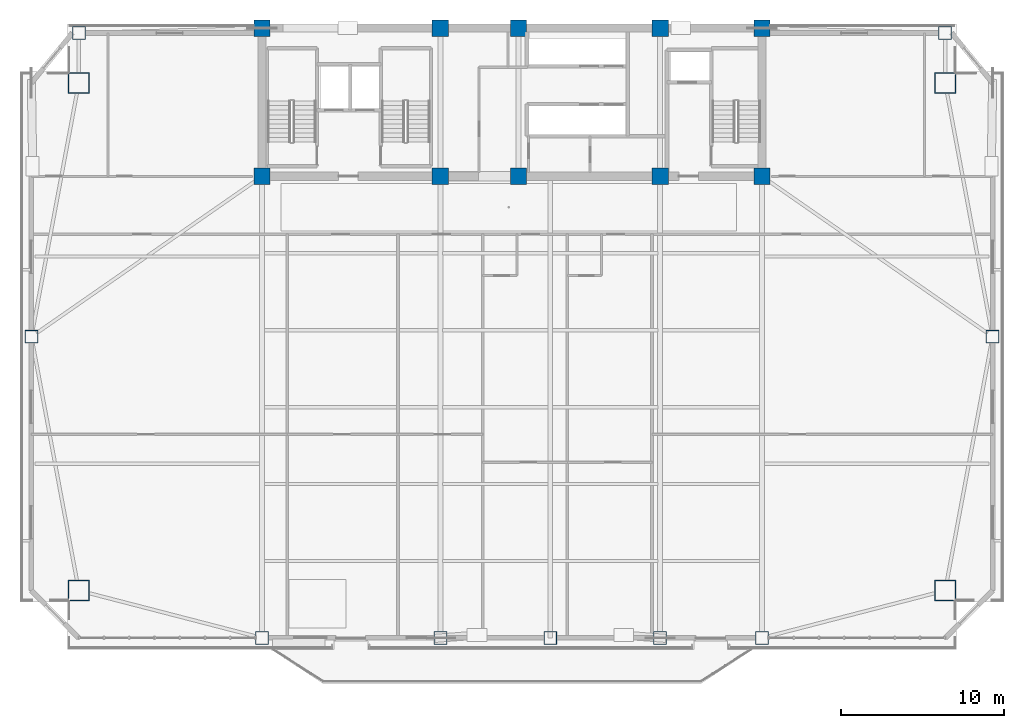
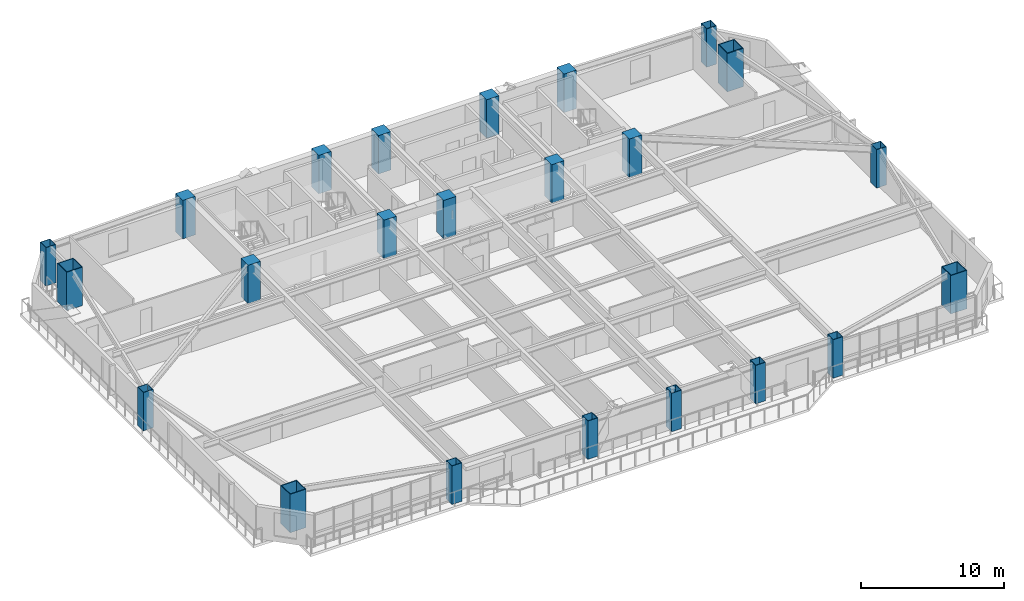
# One storey, part 1 of 16: 23 columns.
"""IFC4 building model written with IfcOpenShell, lengths in metres."""

from ifc_helpers import new_model, si_unit, direction, frame, origin, origin_2d, place, context, subcontext, project, spatial, rectangle, hollow_rectangle, extrude, source, transform, mapped, material, material_profile, profile_set, type_object, element, save


model = new_model("IFC4")

# Units and contexts
model_context = context("Model", 3, precision=1e-05, world=origin(), true_north=direction((0.0, 1.0)))
body_context = subcontext(model_context, "Body", "Model", "MODEL_VIEW")
ifc_project = project(units=[si_unit("LENGTHUNIT", "METRE"), si_unit("AREAUNIT", "SQUARE_METRE"), si_unit("VOLUMEUNIT", "CUBIC_METRE"), si_unit("PLANEANGLEUNIT", "RADIAN"), si_unit("MASSUNIT", "GRAM", prefix="KILO")], contexts=[model_context])

# Site, building, storey
site_placement = place(None, origin())
site = spatial("IfcSite", under=ifc_project, at=site_placement, CompositionType="ELEMENT")
building_placement = place(site_placement, origin())
building = spatial("IfcBuilding", under=site, at=building_placement, Name="Giltprow Tower", CompositionType="ELEMENT")
storey_placement = place(building_placement, frame((0.0, 0.0, 159.699951171875)))
storey = spatial("IfcBuildingStorey", under=building, at=storey_placement, Name="L39", CompositionType="ELEMENT", Elevation=159.699951171875)

# Columns
ifc_material_1 = material(Name="Structural steel Q420GJC", Category="steel")
ifc_material_profile_1 = material_profile(ifc_material_1, hollow_rectangle(XDim=1.300048828125, YDim=1.300048828125, WallThickness=0.06005859375, at=origin_2d()), Name="BOX 1300x1300x60")
ifc_profile_set_1 = profile_set([ifc_material_profile_1], Name="Structural steel Q420GJC")
column_type_1 = type_object("IfcColumnType", Name="COL-BOX-1300x1300x60", PredefinedType="COLUMN", material=ifc_profile_set_1)
shared_shape_1 = source(origin(), body_context, "Body", "SweptSolid", [
    extrude(hollow_rectangle(XDim=1.300048828125, YDim=1.300048828125, WallThickness=0.06005859375, at=origin_2d()), origin(), (0.0, 0.0, 1.0), 3.27001953125),
])
for number, where, z_axis, x_axis, name in (
    (1, (8.596923828125, 12.010986328125, 0.0), (0.0, 0.0, 1.0), (1.0, 0.0, 0.0), "L39 Mega-Column MC_SW"),
    (2, (61.802978515625, 12.010986328125, 0.0), (0.0, 0.0, 1.0), (1.0, 0.0, 0.0), "L39 Mega-Column MC_SE"),
    (3, (8.596923828125, 43.18701171875, 0.0), (0.0, 0.0, 1.0), (1.0, 0.0, 0.0), "L39 Mega-Column MC_NW"),
    (4, (61.802978515625, 43.18701171875, 0.0), (0.0, 0.0, 1.0), (1.0, 0.0, 0.0), "L39 Mega-Column MC_NE"),
):
    element("IfcColumn", number, at=place(storey_placement, frame(where, z_axis=z_axis, x_axis=x_axis)), inside=storey, type_object=column_type_1, Name=name, PredefinedType="COLUMN", context=body_context, shape_type="MappedRepresentation", body=[
        mapped(shared_shape_1, transform((0.0, 0.0, 0.0), x_axis=(1.0, 0.0, 0.0), y_axis=(0.0, 1.0, 0.0), z_axis=(0.0, 0.0, 1.0), scale=1.0)),
    ])
ifc_material_profile_2 = material_profile(ifc_material_1, hollow_rectangle(XDim=0.800048828125, YDim=0.800048828125, WallThickness=0.035888671875, at=origin_2d()), Name="BOX 800x800x36")
ifc_profile_set_2 = profile_set([ifc_material_profile_2], Name="Structural steel Q420GJC")
column_type_2 = type_object("IfcColumnType", Name="COL-BOX-800x800x36", PredefinedType="COLUMN", material=ifc_profile_set_2)
shared_shape_2 = source(origin(), body_context, "Body", "SweptSolid", [
    extrude(hollow_rectangle(XDim=0.800048828125, YDim=0.800048828125, WallThickness=0.035888671875, at=origin_2d()), origin(), (0.0, 0.0, 1.0), 3.27001953125),
])
for number, where, z_axis, x_axis, name in (
    (5, (19.85009765625, 9.097900390625, 0.0), (0.0, 0.0, 1.0), (1.0, 0.0, 0.0), "L39 Perimeter Column S1"),
    (6, (30.800048828125, 9.097900390625, 0.0), (0.0, 0.0, 1.0), (1.0, 0.0, 0.0), "L39 Perimeter Column S2"),
    (7, (37.550048828125, 9.097900390625, 0.0), (0.0, 0.0, 1.0), (1.0, 0.0, 0.0), "L39 Perimeter Column S_MID"),
    (8, (44.300048828125, 9.097900390625, 0.0), (0.0, 0.0, 1.0), (1.0, 0.0, 0.0), "L39 Perimeter Column S3"),
    (9, (50.550048828125, 9.097900390625, 0.0), (0.0, 0.0, 1.0), (1.0, 0.0, 0.0), "L39 Perimeter Column S4"),
    (10, (5.68408203125, 27.59912109375, 0.0), (0.0, 0.0, 1.0), (1.0, 0.0, 0.0), "L39 Perimeter Column W_MID"),
    (11, (64.716064453125, 27.59912109375, 0.0), (0.0, 0.0, 1.0), (1.0, 0.0, 0.0), "L39 Perimeter Column E_MID"),
    (12, (8.596923828125, 46.25, 0.0), (0.0, 0.0, 1.0), (1.0, 0.0, 0.0), "L39 Perimeter Column N_W"),
    (13, (61.802978515625, 46.25, 0.0), (0.0, 0.0, 1.0), (1.0, 0.0, 0.0), "L39 Perimeter Column N_E"),
):
    element("IfcColumn", number, at=place(storey_placement, frame(where, z_axis=z_axis, x_axis=x_axis)), inside=storey, type_object=column_type_2, Name=name, PredefinedType="COLUMN", context=body_context, shape_type="MappedRepresentation", body=[
        mapped(shared_shape_2, transform((0.0, 0.0, 0.0), x_axis=(1.0, 0.0, 0.0), y_axis=(0.0, 1.0, 0.0), z_axis=(0.0, 0.0, 1.0), scale=1.0)),
    ])
ifc_material_2 = material(Name="Concrete C50", Category="concrete")
ifc_material_profile_3 = material_profile(ifc_material_2, rectangle(XDim=1.0, YDim=1.0, at=origin_2d()), Name="RC 1000x1000")
ifc_profile_set_3 = profile_set([ifc_material_profile_3], Name="Concrete C50")
column_type_3 = type_object("IfcColumnType", Name="PIL-RC-1000-C50", PredefinedType="PILASTER", material=ifc_profile_set_3)
shared_shape_3 = source(origin(), body_context, "Body", "SweptSolid", [
    extrude(rectangle(XDim=1.0, YDim=1.0, at=origin_2d()), origin(), (0.0, 0.0, 1.0), 3.27001953125),
])
for number, where, z_axis, x_axis, name in (
    (14, (19.85009765625, 37.449951171875, 0.0), (0.0, 0.0, 1.0), (1.0, 0.0, 0.0), "L39 Core Boundary Pilaster 1-1"),
    (15, (19.85009765625, 46.550048828125, 0.0), (0.0, 0.0, 1.0), (1.0, 0.0, 0.0), "L39 Core Boundary Pilaster 1-2"),
    (16, (30.800048828125, 37.449951171875, 0.0), (0.0, 0.0, 1.0), (1.0, 0.0, 0.0), "L39 Core Boundary Pilaster 2-1"),
    (17, (30.800048828125, 46.550048828125, 0.0), (0.0, 0.0, 1.0), (1.0, 0.0, 0.0), "L39 Core Boundary Pilaster 2-2"),
    (18, (35.60009765625, 37.449951171875, 0.0), (0.0, 0.0, 1.0), (1.0, 0.0, 0.0), "L39 Core Boundary Pilaster 3-1"),
    (19, (35.60009765625, 46.550048828125, 0.0), (0.0, 0.0, 1.0), (1.0, 0.0, 0.0), "L39 Core Boundary Pilaster 3-2"),
    (20, (44.300048828125, 37.449951171875, 0.0), (0.0, 0.0, 1.0), (1.0, 0.0, 0.0), "L39 Core Boundary Pilaster 4-1"),
    (21, (44.300048828125, 46.550048828125, 0.0), (0.0, 0.0, 1.0), (1.0, 0.0, 0.0), "L39 Core Boundary Pilaster 4-2"),
    (22, (50.550048828125, 37.449951171875, 0.0), (0.0, 0.0, 1.0), (1.0, 0.0, 0.0), "L39 Core Boundary Pilaster 5-1"),
    (23, (50.550048828125, 46.550048828125, 0.0), (0.0, 0.0, 1.0), (1.0, 0.0, 0.0), "L39 Core Boundary Pilaster 5-2"),
):
    element("IfcColumn", number, at=place(storey_placement, frame(where, z_axis=z_axis, x_axis=x_axis)), inside=storey, type_object=column_type_3, Name=name, PredefinedType="PILASTER", context=body_context, shape_type="MappedRepresentation", body=[
        mapped(shared_shape_3, transform((0.0, 0.0, 0.0), x_axis=(1.0, 0.0, 0.0), y_axis=(0.0, 1.0, 0.0), z_axis=(0.0, 0.0, 1.0), scale=1.0)),
    ])

save(model, "model.ifc")
